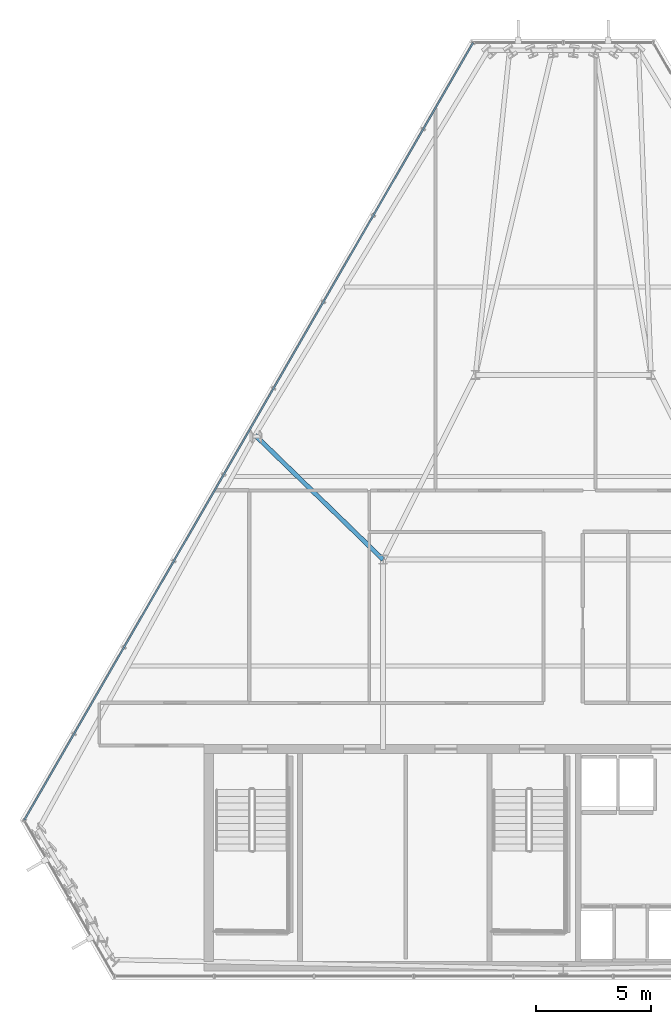
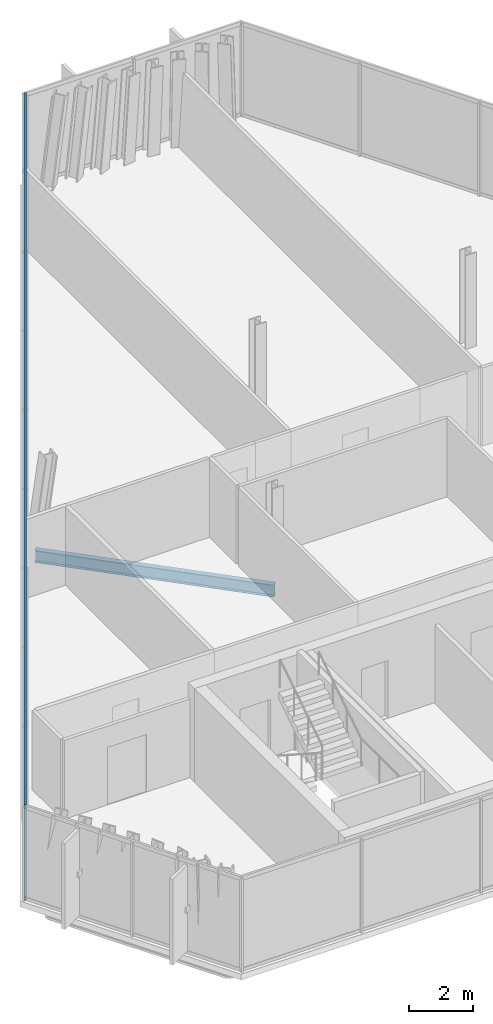
# One storey, part 11 of 30: 2 members, 1 beam, 1 element without a shape of its own.
"""IFC4 building model written with IfcOpenShell, lengths in metres."""

import ifcopenshell
import ifcopenshell.guid

model = None  # the IFC model being written
_history = None  # IfcOwnerHistory: only IFC2X3 demands one
_inside = {}  # id of a spatial element -> (the spatial element, [elements in it])
_under = {}  # id of a project, library or spatial element -> (it, [spatial elements below it])
_declared = {}  # id of a project -> (the project, [libraries it declares])
_typed = {}  # id of a type object -> (the type object, [elements of that type])
_made_of = {}  # id of a material, layer set ... -> (it, [elements and type objects made of it])


def new_model(schema):
    """Start an empty IFC model of exactly this schema.

    Asked for "IFC4X3", IfcOpenShell would pick the latest addendum, in which some entities
    have other attributes; the version numbers below select the first issue.
    IFC2X3 requires an IfcOwnerHistory on every rooted entity: one is made here for all.
    """
    global model, _history
    if schema == "IFC4X3":
        model = ifcopenshell.file(schema_version=(4, 3, 0, 0))
    else:
        model = ifcopenshell.file(schema=schema)
    _inside.clear()
    _under.clear()
    _declared.clear()
    _typed.clear()
    _made_of.clear()
    _history = None
    if model.schema == "IFC2X3":
        org = make("IfcOrganization", Name="unknown")
        user = make(
            "IfcPersonAndOrganization",
            ThePerson=make("IfcPerson", FamilyName="unknown"),
            TheOrganization=org,
        )
        app = make(
            "IfcApplication",
            ApplicationDeveloper=org,
            Version="unknown",
            ApplicationFullName="unknown",
            ApplicationIdentifier="unknown",
        )
        _history = make(
            "IfcOwnerHistory",
            OwningUser=user,
            OwningApplication=app,
            ChangeAction="ADDED",
            CreationDate=0,
        )
    return model


def make(cls, **values):
    """One entity of the class cls with the attributes given. An attribute that is None is left unset."""
    return model.create_entity(
        cls, **{name: value for name, value in values.items() if value is not None}
    )


def rooted(cls, **values):
    """An entity with a GlobalId (a new one), such as an element, a storey or a relation."""
    return make(cls, GlobalId=ifcopenshell.guid.new(), OwnerHistory=_history, **values)


def si_unit(unit_type, name, prefix=None):
    """IfcSIUnit, for example si_unit("LENGTHUNIT", "METRE", prefix="MILLI")."""
    return make("IfcSIUnit", UnitType=unit_type, Prefix=prefix, Name=name)


def assignment(units):
    """IfcUnitAssignment: the units of a project."""
    return None if units is None else make("IfcUnitAssignment", Units=units)


def point(xyz):
    """IfcCartesianPoint."""
    return None if xyz is None else make("IfcCartesianPoint", Coordinates=xyz)


def direction(xyz):
    """IfcDirection."""
    return None if xyz is None else make("IfcDirection", DirectionRatios=xyz)


def frame(location, z_axis=None, x_axis=None):
    """IfcAxis2Placement3D, a coordinate frame: its origin and axes. An axis left out is left unset."""
    return make(
        "IfcAxis2Placement3D",
        Location=point(location),
        Axis=direction(z_axis),
        RefDirection=direction(x_axis),
    )


def frame_2d(location, x_axis=None):
    """IfcAxis2Placement2D, a coordinate frame in the plane: its origin and x axis."""
    return make(
        "IfcAxis2Placement2D", Location=point(location), RefDirection=direction(x_axis)
    )


def origin():
    """The frame at (0, 0, 0) with its axes left unset."""
    return frame((0.0, 0.0, 0.0))


def origin_2d():
    """The frame at (0, 0) in the plane with its x axis left unset."""
    return frame_2d((0.0, 0.0))


def place(relative_to, where):
    """IfcLocalPlacement: puts the frame where relative to a parent placement (None: the world)."""
    return make(
        "IfcLocalPlacement", PlacementRelTo=relative_to, RelativePlacement=where
    )


def context(
    kind, dimensions, precision=None, world=None, true_north=None, identifier=None
):
    """IfcGeometricRepresentationContext, for example the 3D "Model" context."""
    return make(
        "IfcGeometricRepresentationContext",
        ContextIdentifier=identifier,
        ContextType=kind,
        CoordinateSpaceDimension=dimensions,
        Precision=precision,
        WorldCoordinateSystem=world,
        TrueNorth=true_north,
    )


def subcontext(parent, identifier, kind, view, scale=None):
    """IfcGeometricRepresentationSubContext, for example "Body" below "Model"."""
    return make(
        "IfcGeometricRepresentationSubContext",
        ContextIdentifier=identifier,
        ContextType=kind,
        ParentContext=parent,
        TargetScale=scale,
        TargetView=view,
    )


def project(units=None, contexts=None):
    """IfcProject with its units and contexts."""
    return rooted(
        "IfcProject",
        Name="project",
        RepresentationContexts=contexts,
        UnitsInContext=assignment(units),
    )


def spatial(cls, under=None, at=None, **own):
    """A site, building, storey or space (cls), placed at a placement, below another one or the project."""
    s = rooted(cls, ObjectPlacement=at, **own)
    if under is not None:
        _under.setdefault(under.id(), (under, []))[1].append(s)
    return s


def profile(cls, at=None, kind="AREA", **sizes):
    """A parametric profile (cls). Its sizes go by their IFC names, for example OverallWidth=200.0."""
    return make(cls, ProfileType=kind, Position=at, **sizes)


def hollow_rectangle(**sizes):
    """IfcRectangleHollowProfileDef."""
    return profile("IfcRectangleHollowProfileDef", **sizes)


def i_section(**sizes):
    """IfcIShapeProfileDef."""
    return profile("IfcIShapeProfileDef", **sizes)


def extrude(swept, where, along, depth):
    """IfcExtrudedAreaSolid: the profile swept, set in the frame where, extruded along a direction by depth."""
    return make(
        "IfcExtrudedAreaSolid",
        SweptArea=swept,
        Position=where,
        ExtrudedDirection=direction(along),
        Depth=depth,
    )


def shape(context_of_items, identifier, shape_type, items):
    """IfcShapeRepresentation: the items that make up one representation, for example the "Body"."""
    return make(
        "IfcShapeRepresentation",
        ContextOfItems=context_of_items,
        RepresentationIdentifier=identifier,
        RepresentationType=shape_type,
        Items=items,
    )


def material(Name=None, Category=None):
    """IfcMaterial."""
    return make("IfcMaterial", Name=Name, Category=Category)


def layer(
    of_material, thickness, ventilated=None, Name=None, Category=None, Priority=None
):
    """IfcMaterialLayer: one layer of a wall or slab, of a material (None: an air gap)."""
    return make(
        "IfcMaterialLayer",
        Material=of_material,
        LayerThickness=thickness,
        IsVentilated=ventilated,
        Name=Name,
        Category=Category,
        Priority=Priority,
    )


def layer_set(layers, Name=None):
    """IfcMaterialLayerSet."""
    return make("IfcMaterialLayerSet", MaterialLayers=layers, LayerSetName=Name)


def material_profile(
    of_material, cross_section, Name=None, Category=None, Priority=None
):
    """IfcMaterialProfile: a cross section and its material."""
    return make(
        "IfcMaterialProfile",
        Name=Name,
        Material=of_material,
        Profile=cross_section,
        Priority=Priority,
        Category=Category,
    )


def profile_set(profiles, Name=None, composite=None):
    """IfcMaterialProfileSet."""
    return make(
        "IfcMaterialProfileSet",
        Name=Name,
        MaterialProfiles=profiles,
        CompositeProfile=composite,
    )


def made_of(thing, what):
    """Note that an element or type object is made of a material, layer set ...; save() writes the relation."""
    if what is not None:
        _made_of.setdefault(what.id(), (what, []))[1].append(thing)
    return thing


def type_object(cls, material=None, **own):
    """A type object (cls), such as IfcWallType, which elements share."""
    return made_of(rooted(cls, **own), material)


def element(
    cls,
    number,
    at=None,
    inside=None,
    cuts=None,
    type_object=None,
    material=None,
    context=None,
    identifier="Body",
    shape_type=None,
    held_by="IfcProductDefinitionShape",
    body=None,
    shapes=None,
    **own,
):
    """One element of the class cls, such as IfcWall. Its Tag is "e" and its number.

    at: its placement. inside: the storey or other place that contains it. cuts: it is an
    opening in that element (IfcRelVoidsElement). A single representation is given by context,
    identifier, shape_type and body (its items); several are given by shapes. held_by: the class
    of the entity that holds the representations. save() writes the other relations.
    """
    e = rooted(cls, Tag="e%d" % number, ObjectPlacement=at, **own)
    if body is not None:
        shapes = [shape(context, identifier, shape_type, body)]
    if shapes is not None:
        e.Representation = make(held_by, Representations=shapes)
    if inside is not None:
        _inside.setdefault(inside.id(), (inside, []))[1].append(e)
    if cuts is not None:
        rooted(
            "IfcRelVoidsElement", RelatingBuildingElement=cuts, RelatedOpeningElement=e
        )
    if type_object is not None:
        _typed.setdefault(type_object.id(), (type_object, []))[1].append(e)
    return made_of(e, material)


def aggregate(whole, parts):
    """IfcRelAggregates: a whole, such as a stair, and the parts it consists of."""
    return rooted("IfcRelAggregates", RelatingObject=whole, RelatedObjects=parts)


def save(model, path):
    """Write the relations noted so far, then the file.

    IfcRelAggregates (storeys below a building ...), IfcRelContainedInSpatialStructure (elements
    in a storey), IfcRelDefinesByType, IfcRelAssociatesMaterial and IfcRelDeclares: one each for
    every whole, place, type object, material and project.
    """
    for whole, parts in _under.values():
        aggregate(whole, parts)
    for where, things in _inside.values():
        rooted(
            "IfcRelContainedInSpatialStructure",
            RelatedElements=things,
            RelatingStructure=where,
        )
    for kind, things in _typed.values():
        rooted("IfcRelDefinesByType", RelatedObjects=things, RelatingType=kind)
    for what, things in _made_of.values():
        rooted("IfcRelAssociatesMaterial", RelatedObjects=things, RelatingMaterial=what)
    for by, libraries in _declared.values():
        rooted("IfcRelDeclares", RelatingContext=by, RelatedDefinitions=libraries)
    model.write(path)


model = new_model("IFC4")

# Units and contexts
model_context = context("Model", 3, precision=1e-05, world=origin(), true_north=direction((0.0, 1.0)))
body_context = subcontext(model_context, "Body", "Model", "MODEL_VIEW")
ifc_project = project(units=[si_unit("LENGTHUNIT", "METRE"), si_unit("AREAUNIT", "SQUARE_METRE"), si_unit("VOLUMEUNIT", "CUBIC_METRE"), si_unit("PLANEANGLEUNIT", "RADIAN"), si_unit("MASSUNIT", "GRAM", prefix="KILO")], contexts=[model_context])

# Site, building, storey
site_placement = place(None, origin())
site = spatial("IfcSite", under=ifc_project, at=site_placement, CompositionType="ELEMENT")
building_placement = place(site_placement, origin())
building = spatial("IfcBuilding", under=site, at=building_placement, Name="Ndaravel Arena Tower", CompositionType="ELEMENT")
storey_placement = place(building_placement, frame((0.0, 0.0, 225.60009765625)))
storey = spatial("IfcBuildingStorey", under=building, at=storey_placement, Name="L54", CompositionType="ELEMENT", Elevation=225.60009765625)

# Beam
ifc_material_1 = material(Name="Steel S355", Category="steel")
ifc_material_profile_1 = material_profile(ifc_material_1, i_section(OverallWidth=0.19140625, OverallDepth=0.4599609375, WebThickness=0.010009765625, FlangeThickness=0.01611328125, FilletRadius=0.01025390625, at=origin_2d()), Name="UB 457x191x82")
ifc_profile_set_1 = profile_set([ifc_material_profile_1], Name="Steel S355")
beam_type = type_object("IfcBeamType", Name="BM-GIRD-UB457", PredefinedType="BEAM", material=ifc_profile_set_1)
beam_placement = place(storey_placement, frame((28.65869140625, 28.587890625, -0.4501953125), z_axis=(0.716955886735, -0.697118538325, 0.0), x_axis=(0.697118538325, 0.716955886735, 0.0)))
element("IfcBeam", 1, at=beam_placement, inside=storey, type_object=beam_type, Name="L54 Radial Floor Girder FG-19", PredefinedType="BEAM", context=body_context, shape_type="SweptSolid", body=[
    extrude(i_section(OverallWidth=0.19140625, OverallDepth=0.4599609375, WebThickness=0.010009765625, FlangeThickness=0.01611328125, FilletRadius=0.01025390625, at=origin_2d()), origin(), (0.0, 0.0, 1.0), 7.728759765625),
])

# Curtain wall, members
ifc_material_2 = material(Name="Aluminium", Category="aluminium")
ifc_layer = layer(ifc_material_2, 0.179931640625)
ifc_layer_set = layer_set([ifc_layer], Name="Aluminium")
curtain_wall_type = type_object("IfcCurtainWallType", Name="CW-SYS-03", PredefinedType="NOTDEFINED", material=ifc_layer_set)
curtain_wall_placement = place(storey_placement, origin())
curtain_wall = element("IfcCurtainWall", 2, at=curtain_wall_placement, inside=storey, type_object=curtain_wall_type, Name="L54 Faceted Crystal Curtain Wall CW-L54-E05", PredefinedType="NOTDEFINED")
ifc_material_3 = material(Name="Aluminium", Category="aluminium")
ifc_material_profile_2 = material_profile(ifc_material_3, hollow_rectangle(XDim=0.074951171875, YDim=0.14990234375, WallThickness=0.00390625, at=origin_2d()), Name="CW TRANSOM 75x150x4")
ifc_profile_set_2 = profile_set([ifc_material_profile_2], Name="Aluminium")
member_type = type_object("IfcMemberType", Name="MEM-CW-TRN150", PredefinedType="USERDEFINED", material=ifc_profile_set_2)
member_1_placement = place(storey_placement, frame((38.09814453125, 45.57763671875, 0.039794921875), z_axis=(-0.500001393255, -0.866024599387, 0.0), x_axis=(0.866024599387, -0.500001393255, 0.0)))
member_1 = element("IfcMember", 3, at=member_1_placement, type_object=member_type, Name="CW-L54-E05 Transom 01", ObjectType="TRANSOM", PredefinedType="USERDEFINED", context=body_context, shape_type="SweptSolid", body=[
    extrude(hollow_rectangle(XDim=0.074951171875, YDim=0.14990234375, WallThickness=0.00390625, at=origin_2d()), origin(), (0.0, 0.0, 1.0), 38.86669921875),
])
member_2_placement = place(storey_placement, frame((38.09814453125, 45.57763671875, 3.539794921875), z_axis=(-0.500001393255, -0.866024599387, 0.0), x_axis=(0.866024599387, -0.500001393255, 0.0)))
member_2 = element("IfcMember", 4, at=member_2_placement, type_object=member_type, Name="CW-L54-E05 Transom 02", ObjectType="TRANSOM", PredefinedType="USERDEFINED", context=body_context, shape_type="SweptSolid", body=[
    extrude(hollow_rectangle(XDim=0.074951171875, YDim=0.14990234375, WallThickness=0.00390625, at=origin_2d()), origin(), (0.0, 0.0, 1.0), 38.86669921875),
])
aggregate(curtain_wall, [member_1, member_2])

save(model, "model.ifc")
